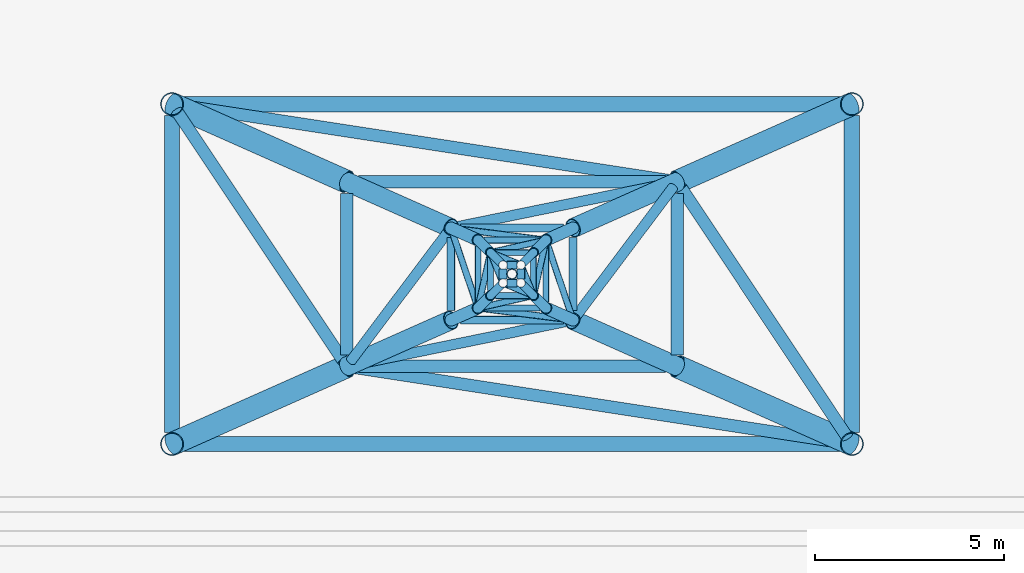
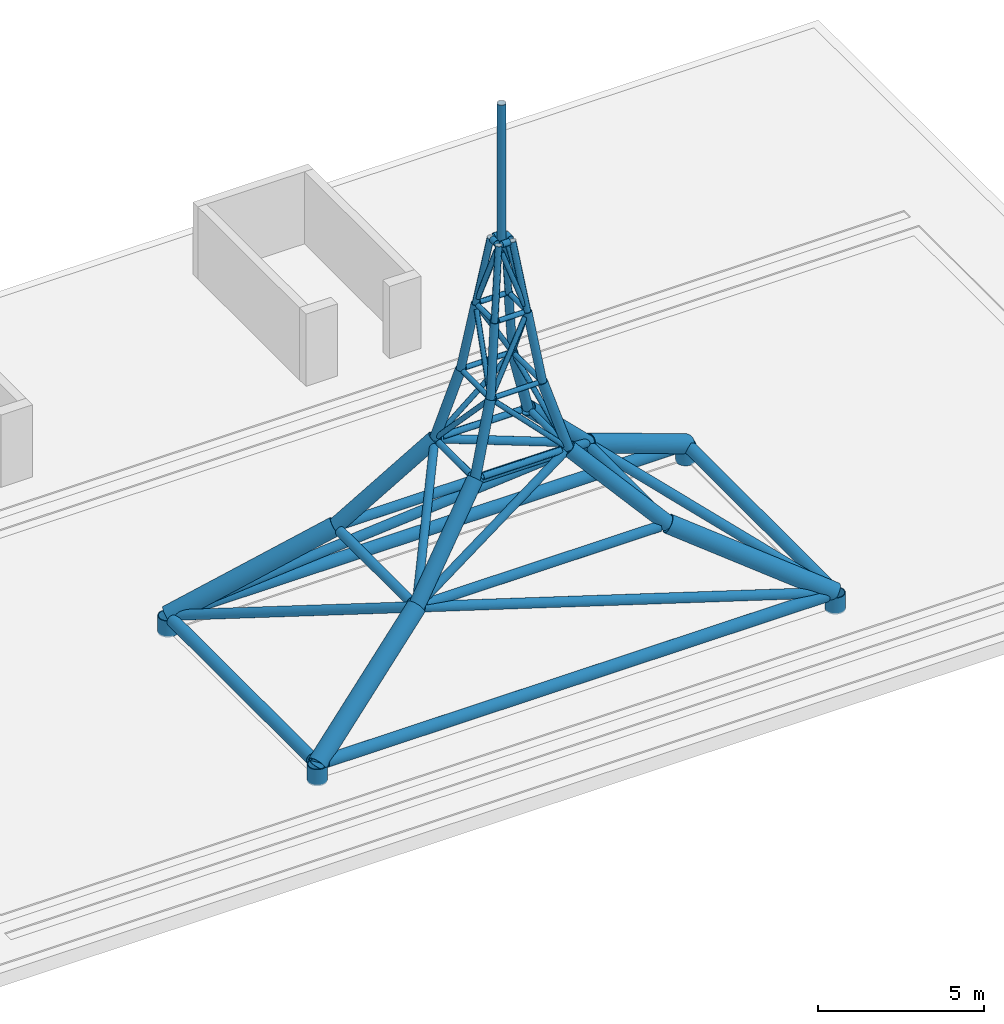
# One storey, part 1 of 4: 41 members, 24 beams, 4 columns.
"""IFC4 building model written with IfcOpenShell, lengths in metres."""

from ifc_helpers import new_model, si_unit, direction, frame, origin, origin_2d, place, context, subcontext, project, spatial, hollow_circle, extrude, material, material_profile, profile_set, type_object, element, save


model = new_model("IFC4")

# Units and contexts
model_context = context("Model", 3, precision=1e-05, world=origin(), true_north=direction((0.0, 1.0)))
body_context = subcontext(model_context, "Body", "Model", "MODEL_VIEW")
ifc_project = project(units=[si_unit("LENGTHUNIT", "METRE"), si_unit("AREAUNIT", "SQUARE_METRE"), si_unit("VOLUMEUNIT", "CUBIC_METRE"), si_unit("PLANEANGLEUNIT", "RADIAN"), si_unit("MASSUNIT", "GRAM", prefix="KILO")], contexts=[model_context])

# Site, building, storey
site_placement = place(None, origin())
site = spatial("IfcSite", under=ifc_project, at=site_placement, CompositionType="ELEMENT")
building_placement = place(site_placement, origin())
building = spatial("IfcBuilding", under=site, at=building_placement, Name="Calvaro Tower", CompositionType="ELEMENT")
storey_placement = place(building_placement, frame((0.0, 0.0, 277.949951171875)))
storey = spatial("IfcBuildingStorey", under=building, at=storey_placement, Name="ROOF", CompositionType="ELEMENT", Elevation=277.949951171875)

# Columns
ifc_material_1 = material(Name="Steel S355", Category="steel")
ifc_material_profile_1 = material_profile(ifc_material_1, hollow_circle(Radius=0.304931640625, WallThickness=0.02490234375, at=origin_2d()), Name="CHS 610x25")
ifc_profile_set_1 = profile_set([ifc_material_profile_1], Name="Steel S355")
column_type = type_object("IfcColumnType", Name="Mast foot CHS 610x25", PredefinedType="COLUMN", material=ifc_profile_set_1)
for number, where, z_axis, x_axis, name in (
    (1, (27.0, 10.0, 0.0), (0.0, 0.0, 1.0), (1.0, 0.0, 0.0), "MAST FOOT A"),
    (2, (45.0, 10.0, 0.0), (0.0, 0.0, 1.0), (1.0, 0.0, 0.0), "MAST FOOT B"),
    (3, (45.0, 19.0, 0.0), (0.0, 0.0, 1.0), (1.0, 0.0, 0.0), "MAST FOOT C"),
    (4, (27.0, 19.0, 0.0), (0.0, 0.0, 1.0), (1.0, 0.0, 0.0), "MAST FOOT D"),
):
    element("IfcColumn", number, at=place(storey_placement, frame(where, z_axis=z_axis, x_axis=x_axis)), inside=storey, type_object=column_type, Name=name, PredefinedType="COLUMN", context=body_context, shape_type="SweptSolid", body=[
        extrude(hollow_circle(Radius=0.304931640625, WallThickness=0.02490234375, at=origin_2d()), origin(), (0.0, 0.0, 1.0), 0.60009765625),
    ])

# Members
ifc_material_2 = material(Name="Steel S355", Category="steel")
ifc_material_profile_2 = material_profile(ifc_material_2, hollow_circle(Radius=0.084228515625, WallThickness=0.008056640625, at=origin_2d()), Name="CHS 168.3x8")
ifc_profile_set_2 = profile_set([ifc_material_profile_2], Name="Steel S355")
member_type_1 = type_object("IfcMemberType", Name="Mast brace CHS 168.3x8", PredefinedType="BRACE", material=ifc_profile_set_2)
member_1_placement = place(storey_placement, frame((37.473876953125, 13.29931640625, 6.642822265625), z_axis=(-0.706751417541, 0.089540739905, 0.701772676656), x_axis=(-0.125688687239, -0.992069732378, 0.0)))
element("IfcMember", 5, at=member_1_placement, inside=storey, type_object=member_type_1, Name="MAST BRACE 3A", PredefinedType="BRACE", context=body_context, shape_type="SweptSolid", body=[
    extrude(hollow_circle(Radius=0.084228515625, WallThickness=0.008056640625, at=origin_2d()), origin(), (0.0, 0.0, 1.0), 3.1875),
])
member_2_placement = place(storey_placement, frame((37.576416015625, 13.402099609375, 6.642822265625), z_axis=(-0.213828444957, 0.631643858325, 0.745186843931), x_axis=(-0.947197163913, -0.320651731126, 0.0)))
element("IfcMember", 6, at=member_2_placement, inside=storey, type_object=member_type_1, Name="MAST BRACE 3B", PredefinedType="BRACE", context=body_context, shape_type="SweptSolid", body=[
    extrude(hollow_circle(Radius=0.084228515625, WallThickness=0.008056640625, at=origin_2d()), origin(), (0.0, 0.0, 1.0), 3.001708984375),
])
member_3_placement = place(storey_placement, frame((34.526123046875, 15.70068359375, 6.642822265625), z_axis=(0.706751417541, -0.089540739905, 0.701772676656), x_axis=(0.125688687239, 0.992069732378, 0.0)))
element("IfcMember", 7, at=member_3_placement, inside=storey, type_object=member_type_1, Name="MAST BRACE 3C", PredefinedType="BRACE", context=body_context, shape_type="SweptSolid", body=[
    extrude(hollow_circle(Radius=0.084228515625, WallThickness=0.008056640625, at=origin_2d()), origin(), (0.0, 0.0, 1.0), 3.1875),
])
member_4_placement = place(storey_placement, frame((34.423583984375, 15.597900390625, 6.642822265625), z_axis=(0.213828444957, -0.631643858325, 0.745186843931), x_axis=(0.947197163913, 0.320651731126, 0.0)))
element("IfcMember", 8, at=member_4_placement, inside=storey, type_object=member_type_1, Name="MAST BRACE 3D", PredefinedType="BRACE", context=body_context, shape_type="SweptSolid", body=[
    extrude(hollow_circle(Radius=0.084228515625, WallThickness=0.008056640625, at=origin_2d()), origin(), (0.0, 0.0, 1.0), 3.001708984375),
])
for number, where, z_axis, x_axis, name in (
    (9, (35.21142578125, 13.625, 9.189697265625), (0.503624735883, 0.113068500726, 0.856491470798), (-0.219056577297, 0.975712158345, 0.0), "MAST BRACE 4A"),
    (10, (36.875, 15.28857421875, 9.189697265625), (-0.113068500726, -0.503624735883, 0.856491470798), (0.975712158345, -0.219056577297, 0.0), "MAST BRACE 4B"),
    (11, (36.78857421875, 15.375, 9.189697265625), (-0.503624735883, -0.113068500726, 0.856491470798), (0.219056577297, -0.975712158345, 0.0), "MAST BRACE 4C"),
    (12, (35.125, 13.71142578125, 9.189697265625), (0.113068500726, 0.503624735883, 0.856491470798), (-0.975712158345, 0.219056577297, 0.0), "MAST BRACE 4D"),
):
    element("IfcMember", number, at=place(storey_placement, frame(where, z_axis=z_axis, x_axis=x_axis)), inside=storey, type_object=member_type_1, Name=name, PredefinedType="BRACE", context=body_context, shape_type="SweptSolid", body=[
        extrude(hollow_circle(Radius=0.084228515625, WallThickness=0.008056640625, at=origin_2d()), origin(), (0.0, 0.0, 1.0), 2.519775390625),
    ])
for number, where, z_axis, x_axis, name in (
    (13, (36.4921875, 13.961669921875, 11.740234375), (-0.305810072952, 0.124606193904, 0.943903329649), (-0.377340792088, -0.926074471426, 0.0), "MAST BRACE 5A"),
    (14, (36.538330078125, 14.0078125, 11.740234375), (-0.124606193904, 0.305810072952, 0.943903329649), (-0.926074471426, -0.377340792088, 0.0), "MAST BRACE 5B"),
    (15, (35.5078125, 15.038330078125, 11.740234375), (0.305810072952, -0.124606193904, 0.943903329649), (0.377340792088, 0.926074471426, 0.0), "MAST BRACE 5C"),
    (16, (35.461669921875, 14.9921875, 11.740234375), (0.124606193904, -0.305810072952, 0.943903329649), (0.926074471426, 0.377340792088, 0.0), "MAST BRACE 5D"),
):
    element("IfcMember", number, at=place(storey_placement, frame(where, z_axis=z_axis, x_axis=x_axis)), inside=storey, type_object=member_type_1, Name=name, PredefinedType="BRACE", context=body_context, shape_type="SweptSolid", body=[
        extrude(hollow_circle(Radius=0.084228515625, WallThickness=0.008056640625, at=origin_2d()), origin(), (0.0, 0.0, 1.0), 2.1396484375),
    ])
ifc_material_3 = material(Name="Steel S355", Category="steel")
ifc_material_profile_3 = material_profile(ifc_material_3, hollow_circle(Radius=0.136474609375, WallThickness=0.012451171875, at=origin_2d()), Name="CHS 273x12.5")
ifc_profile_set_3 = profile_set([ifc_material_profile_3], Name="Steel S355")
member_type_2 = type_object("IfcMemberType", Name="Mast brace CHS 273x12.5", PredefinedType="BRACE", material=ifc_profile_set_3)
member_5_placement = place(storey_placement, frame((31.83837890625, 12.099609375, 3.605712890625), z_axis=(0.879541952014, 0.179826765016, 0.440531825446), x_axis=(-0.200311189331, 0.979732324377, 0.0)))
element("IfcMember", 17, at=member_5_placement, inside=storey, type_object=member_type_2, Name="MAST BRACE 2A", PredefinedType="BRACE", context=body_context, shape_type="SweptSolid", body=[
    extrude(hollow_circle(Radius=0.136474609375, WallThickness=0.012451171875, at=origin_2d()), origin(), (0.0, 0.0, 1.0), 6.41748046875),
])
member_6_placement = place(storey_placement, frame((40.263671875, 16.79833984375, 3.61865234375), z_axis=(-0.503006321251, -0.668578043823, 0.547711639551), x_axis=(0.799096779066, -0.601202409913, 0.0)))
element("IfcMember", 18, at=member_6_placement, inside=storey, type_object=member_type_2, Name="MAST BRACE 2B", PredefinedType="BRACE", context=body_context, shape_type="SweptSolid", body=[
    extrude(hollow_circle(Radius=0.136474609375, WallThickness=0.012451171875, at=origin_2d()), origin(), (0.0, 0.0, 1.0), 5.12255859375),
])
member_7_placement = place(storey_placement, frame((40.16162109375, 16.900390625, 3.605712890625), z_axis=(-0.879541952014, -0.179826765016, 0.440531825446), x_axis=(0.200311189331, -0.979732324377, 0.0)))
element("IfcMember", 19, at=member_7_placement, inside=storey, type_object=member_type_2, Name="MAST BRACE 2C", PredefinedType="BRACE", context=body_context, shape_type="SweptSolid", body=[
    extrude(hollow_circle(Radius=0.136474609375, WallThickness=0.012451171875, at=origin_2d()), origin(), (0.0, 0.0, 1.0), 6.41748046875),
])
member_8_placement = place(storey_placement, frame((31.736328125, 12.20166015625, 3.61865234375), z_axis=(0.503006321251, 0.668578043823, 0.547711639551), x_axis=(-0.799096779066, 0.601202409913, 0.0)))
element("IfcMember", 20, at=member_8_placement, inside=storey, type_object=member_type_2, Name="MAST BRACE 2D", PredefinedType="BRACE", context=body_context, shape_type="SweptSolid", body=[
    extrude(hollow_circle(Radius=0.136474609375, WallThickness=0.012451171875, at=origin_2d()), origin(), (0.0, 0.0, 1.0), 5.12255859375),
])
ifc_material_4 = material(Name="Steel S355", Category="steel")
ifc_material_profile_4 = material_profile(ifc_material_4, hollow_circle(Radius=0.161865234375, WallThickness=0.012451171875, at=origin_2d()), Name="CHS 323.9x12.5")
ifc_profile_set_4 = profile_set([ifc_material_profile_4], Name="Steel S355")
member_type_3 = type_object("IfcMemberType", Name="Mast brace CHS 323.9x12.5", PredefinedType="BRACE", material=ifc_profile_set_4)
member_9_placement = place(storey_placement, frame((44.735595703125, 10.040771484375, 0.657470703125), z_axis=(-0.966431273609, 0.148616955468, 0.209579564696), x_axis=(-0.15199246548, -0.988381652216, 0.0)))
element("IfcMember", 21, at=member_9_placement, inside=storey, type_object=member_type_3, Name="MAST BRACE 1A", PredefinedType="BRACE", context=body_context, shape_type="SweptSolid", body=[
    extrude(hollow_circle(Radius=0.161865234375, WallThickness=0.012451171875, at=origin_2d()), origin(), (0.0, 0.0, 1.0), 13.3359375),
])
member_10_placement = place(storey_placement, frame((44.8779296875, 10.18310546875, 0.676513671875), z_axis=(-0.523838768365, 0.786019520156, 0.3282777158), x_axis=(-0.832135423642, -0.554572481034, 0.0)))
element("IfcMember", 22, at=member_10_placement, inside=storey, type_object=member_type_3, Name="MAST BRACE 1B", PredefinedType="BRACE", context=body_context, shape_type="SweptSolid", body=[
    extrude(hollow_circle(Radius=0.161865234375, WallThickness=0.012451171875, at=origin_2d()), origin(), (0.0, 0.0, 1.0), 8.40673828125),
])
member_11_placement = place(storey_placement, frame((27.264404296875, 18.959228515625, 0.657470703125), z_axis=(0.966431273609, -0.148616955468, 0.209579564696), x_axis=(0.15199246548, 0.988381652216, 0.0)))
element("IfcMember", 23, at=member_11_placement, inside=storey, type_object=member_type_3, Name="MAST BRACE 1C", PredefinedType="BRACE", context=body_context, shape_type="SweptSolid", body=[
    extrude(hollow_circle(Radius=0.161865234375, WallThickness=0.012451171875, at=origin_2d()), origin(), (0.0, 0.0, 1.0), 13.3359375),
])
member_12_placement = place(storey_placement, frame((27.1220703125, 18.81689453125, 0.676513671875), z_axis=(0.523838768365, -0.786019520156, 0.3282777158), x_axis=(0.832135423642, 0.554572481034, 0.0)))
element("IfcMember", 24, at=member_12_placement, inside=storey, type_object=member_type_3, Name="MAST BRACE 1D", PredefinedType="BRACE", context=body_context, shape_type="SweptSolid", body=[
    extrude(hollow_circle(Radius=0.161865234375, WallThickness=0.012451171875, at=origin_2d()), origin(), (0.0, 0.0, 1.0), 8.40673828125),
])
ifc_material_5 = material(Name="Steel S355", Category="steel")
ifc_material_profile_5 = material_profile(ifc_material_5, hollow_circle(Radius=0.109619140625, WallThickness=0.010009765625, at=origin_2d()), Name="CHS 219.1x10")
ifc_profile_set_5 = profile_set([ifc_material_profile_5], Name="Steel S355")
member_type_4 = type_object("IfcMemberType", Name="Mast leg CHS 219.1x10", PredefinedType="CHORD", material=ifc_profile_set_5)
for number, where, z_axis, x_axis, name in (
    (25, (35.429931640625, 13.929931640625, 11.5), (0.129788134439, 0.129788134439, 0.983010722382), (-0.707106781187, 0.707106781187, 0.0), "MAST LEG 5A"),
    (26, (36.570068359375, 13.929931640625, 11.5), (-0.129788134439, 0.129788134439, 0.983010722382), (-0.707106781187, -0.707106781187, 0.0), "MAST LEG 5B"),
    (27, (36.570068359375, 15.070068359375, 11.5), (-0.129788134439, -0.129788134439, 0.983010722382), (0.707106781187, -0.707106781187, 0.0), "MAST LEG 5C"),
    (28, (35.429931640625, 15.070068359375, 11.5), (0.129788134439, -0.129788134439, 0.983010722382), (0.707106781187, 0.707106781187, 0.0), "MAST LEG 5D"),
):
    element("IfcMember", number, at=place(storey_placement, frame(where, z_axis=z_axis, x_axis=x_axis)), inside=storey, type_object=member_type_4, Name=name, PredefinedType="CHORD", context=body_context, shape_type="SweptSolid", body=[
        extrude(hollow_circle(Radius=0.109619140625, WallThickness=0.010009765625, at=origin_2d()), origin(), (0.0, 0.0, 1.0), 2.543212890625),
    ])
ifc_material_6 = material(Name="Steel S355", Category="steel")
ifc_material_profile_6 = material_profile(ifc_material_6, hollow_circle(Radius=0.136474609375, WallThickness=0.012451171875, at=origin_2d()), Name="CHS 273x12.5")
ifc_profile_set_6 = profile_set([ifc_material_profile_6], Name="Steel S355")
member_type_5 = type_object("IfcMemberType", Name="Mast leg CHS 273x12.5", PredefinedType="CHORD", material=ifc_profile_set_6)
for number, where, z_axis, x_axis, name in (
    (29, (35.10009765625, 13.60009765625, 9.0), (0.129695367968, 0.129695367968, 0.983035209469), (-0.707106781187, 0.707106781187, 0.0), "MAST LEG 4A"),
    (30, (36.89990234375, 13.60009765625, 9.0), (-0.129695367968, 0.129695367968, 0.983035209469), (-0.707106781187, -0.707106781187, 0.0), "MAST LEG 4B"),
    (31, (36.89990234375, 15.39990234375, 9.0), (-0.129695367968, -0.129695367968, 0.983035209469), (0.707106781187, -0.707106781187, 0.0), "MAST LEG 4C"),
    (32, (35.10009765625, 15.39990234375, 9.0), (0.129695367968, -0.129695367968, 0.983035209469), (0.707106781187, 0.707106781187, 0.0), "MAST LEG 4D"),
):
    element("IfcMember", number, at=place(storey_placement, frame(where, z_axis=z_axis, x_axis=x_axis)), inside=storey, type_object=member_type_5, Name=name, PredefinedType="CHORD", context=body_context, shape_type="SweptSolid", body=[
        extrude(hollow_circle(Radius=0.136474609375, WallThickness=0.012451171875, at=origin_2d()), origin(), (0.0, 0.0, 1.0), 2.543212890625),
    ])
ifc_material_7 = material(Name="Steel S355", Category="steel")
ifc_material_profile_7 = material_profile(ifc_material_7, hollow_circle(Radius=0.161865234375, WallThickness=0.012451171875, at=origin_2d()), Name="CHS 323.9x12.5")
ifc_profile_set_7 = profile_set([ifc_material_profile_7], Name="Steel S355")
member_type_6 = type_object("IfcMemberType", Name="Mast leg CHS 323.9x12.5", PredefinedType="CHORD", material=ifc_profile_set_7)
for number, where, z_axis, x_axis, name in (
    (33, (34.382568359375, 13.281005859375, 6.5), (0.27382091498, 0.121770648478, 0.95404088785), (-0.406340377938, 0.913721783289, 0.0), "MAST LEG 3A"),
    (34, (37.617431640625, 13.281005859375, 6.5), (-0.27382091498, 0.121770648478, 0.95404088785), (-0.406340377938, -0.913721783289, 0.0), "MAST LEG 3B"),
    (35, (37.617431640625, 15.718994140625, 6.5), (-0.27382091498, -0.121770648478, 0.95404088785), (0.406340377938, -0.913721783289, 0.0), "MAST LEG 3C"),
    (36, (34.382568359375, 15.718994140625, 6.5), (0.27382091498, -0.121770648478, 0.95404088785), (0.406340377938, 0.913721783289, 0.0), "MAST LEG 3D"),
):
    element("IfcMember", number, at=place(storey_placement, frame(where, z_axis=z_axis, x_axis=x_axis)), inside=storey, type_object=member_type_6, Name=name, PredefinedType="CHORD", context=body_context, shape_type="SweptSolid", body=[
        extrude(hollow_circle(Radius=0.161865234375, WallThickness=0.012451171875, at=origin_2d()), origin(), (0.0, 0.0, 1.0), 2.620361328125),
    ])
ifc_material_8 = material(Name="Steel S355", Category="steel")
ifc_material_profile_8 = material_profile(ifc_material_8, hollow_circle(Radius=0.25390625, WallThickness=0.02001953125, at=origin_2d()), Name="CHS 508x20")
ifc_profile_set_8 = profile_set([ifc_material_profile_8], Name="Steel S355")
member_type_7 = type_object("IfcMemberType", Name="Mast leg CHS 508x20", PredefinedType="CHORD", material=ifc_profile_set_8)
for number, where, z_axis, x_axis, name in (
    (37, (31.62744140625, 12.056640625, 3.5), (0.647775913943, 0.287868516475, 0.705349617238), (-0.406100898946, 0.913828244188, 0.0), "MAST LEG 2A"),
    (38, (40.37255859375, 12.056640625, 3.5), (-0.647775913943, 0.287868516475, 0.705349617238), (-0.406100898946, -0.913828244188, 0.0), "MAST LEG 2B"),
    (39, (40.37255859375, 16.943359375, 3.5), (-0.647775913943, -0.287868516475, 0.705349617238), (0.406100898946, -0.913828244188, 0.0), "MAST LEG 2C"),
    (40, (31.62744140625, 16.943359375, 3.5), (0.647775913943, -0.287868516475, 0.705349617238), (0.406100898946, 0.913828244188, 0.0), "MAST LEG 2D"),
):
    element("IfcMember", number, at=place(storey_placement, frame(where, z_axis=z_axis, x_axis=x_axis)), inside=storey, type_object=member_type_7, Name=name, PredefinedType="CHORD", context=body_context, shape_type="SweptSolid", body=[
        extrude(hollow_circle(Radius=0.25390625, WallThickness=0.02001953125, at=origin_2d()), origin(), (0.0, 0.0, 1.0), 4.253173828125),
    ])
ifc_material_9 = material(Name="Steel S355", Category="steel")
ifc_material_profile_9 = material_profile(ifc_material_9, hollow_circle(Radius=0.304931640625, WallThickness=0.02490234375, at=origin_2d()), Name="CHS 610x25")
ifc_profile_set_9 = profile_set([ifc_material_profile_9], Name="Steel S355")
member_type_8 = type_object("IfcMemberType", Name="Mast leg CHS 610x25", PredefinedType="CHORD", material=ifc_profile_set_9)
for number, where, z_axis, x_axis, name in (
    (41, (27.0, 10.0, 0.60009765625), (0.792988609118, 0.35243938183, 0.496946222386), (-0.406138466053, 0.91381154862, 0.0), "MAST LEG 1A"),
    (42, (45.0, 10.0, 0.60009765625), (-0.792988609118, 0.35243938183, 0.496946222386), (-0.406138466053, -0.91381154862, 0.0), "MAST LEG 1B"),
    (43, (45.0, 19.0, 0.60009765625), (-0.792988609118, -0.35243938183, 0.496946222386), (0.406138466053, -0.91381154862, 0.0), "MAST LEG 1C"),
    (44, (27.0, 19.0, 0.60009765625), (0.792988609118, -0.35243938183, 0.496946222386), (0.406138466053, 0.91381154862, 0.0), "MAST LEG 1D"),
):
    element("IfcMember", number, at=place(storey_placement, frame(where, z_axis=z_axis, x_axis=x_axis)), inside=storey, type_object=member_type_8, Name=name, PredefinedType="CHORD", context=body_context, shape_type="SweptSolid", body=[
        extrude(hollow_circle(Radius=0.304931640625, WallThickness=0.02490234375, at=origin_2d()), origin(), (0.0, 0.0, 1.0), 5.83544921875),
    ])

# Beams
ifc_material_10 = material(Name="Steel S355", Category="steel")
ifc_material_profile_10 = material_profile(ifc_material_10, hollow_circle(Radius=0.084228515625, WallThickness=0.008056640625, at=origin_2d()), Name="CHS 168.3x8")
ifc_profile_set_10 = profile_set([ifc_material_profile_10], Name="Steel S355")
beam_type_1 = type_object("IfcBeamType", Name="Mast ring CHS 168.3x8", PredefinedType="BEAM", material=ifc_profile_set_10)
for number, where, z_axis, x_axis, name in (
    (45, (35.261962890625, 13.60009765625, 9.0), (1.0, 0.0, 0.0), (0.0, 1.0, 0.0), "MAST RING 3A"),
    (46, (36.89990234375, 13.761962890625, 9.0), (0.0, 1.0, 0.0), (-1.0, 0.0, 0.0), "MAST RING 3B"),
    (47, (36.738037109375, 15.39990234375, 9.0), (-1.0, 0.0, 0.0), (0.0, -1.0, 0.0), "MAST RING 3C"),
    (48, (35.10009765625, 15.238037109375, 9.0), (0.0, -1.0, 0.0), (1.0, 0.0, 0.0), "MAST RING 3D"),
):
    element("IfcBeam", number, at=place(storey_placement, frame(where, z_axis=z_axis, x_axis=x_axis)), inside=storey, type_object=beam_type_1, Name=name, PredefinedType="BEAM", context=body_context, shape_type="SweptSolid", body=[
        extrude(hollow_circle(Radius=0.084228515625, WallThickness=0.008056640625, at=origin_2d()), origin(), (0.0, 0.0, 1.0), 1.47607421875),
    ])
for number, where, z_axis, x_axis, name in (
    (49, (35.56640625, 13.929931640625, 11.5), (1.0, 0.0, 0.0), (0.0, 1.0, 0.0), "MAST RING 4A"),
    (50, (36.570068359375, 14.06640625, 11.5), (0.0, 1.0, 0.0), (-1.0, 0.0, 0.0), "MAST RING 4B"),
    (51, (36.43359375, 15.070068359375, 11.5), (-1.0, 0.0, 0.0), (0.0, -1.0, 0.0), "MAST RING 4C"),
    (52, (35.429931640625, 14.93359375, 11.5), (0.0, -1.0, 0.0), (1.0, 0.0, 0.0), "MAST RING 4D"),
):
    element("IfcBeam", number, at=place(storey_placement, frame(where, z_axis=z_axis, x_axis=x_axis)), inside=storey, type_object=beam_type_1, Name=name, PredefinedType="BEAM", context=body_context, shape_type="SweptSolid", body=[
        extrude(hollow_circle(Radius=0.084228515625, WallThickness=0.008056640625, at=origin_2d()), origin(), (0.0, 0.0, 1.0), 0.8671875),
    ])
ifc_material_11 = material(Name="Steel S355", Category="steel")
ifc_material_profile_11 = material_profile(ifc_material_11, hollow_circle(Radius=0.109619140625, WallThickness=0.010009765625, at=origin_2d()), Name="CHS 219.1x10")
ifc_profile_set_11 = profile_set([ifc_material_profile_11], Name="Steel S355")
beam_type_2 = type_object("IfcBeamType", Name="Mast ring CHS 219.1x10", PredefinedType="BEAM", material=ifc_profile_set_11)
beam_1_placement = place(storey_placement, frame((34.636474609375, 13.281005859375, 6.5), z_axis=(1.0, 0.0, 0.0), x_axis=(0.0, 1.0, 0.0)))
element("IfcBeam", 53, at=beam_1_placement, inside=storey, type_object=beam_type_2, Name="MAST RING 2A", PredefinedType="BEAM", context=body_context, shape_type="SweptSolid", body=[
    extrude(hollow_circle(Radius=0.109619140625, WallThickness=0.010009765625, at=origin_2d()), origin(), (0.0, 0.0, 1.0), 2.72705078125),
])
beam_2_placement = place(storey_placement, frame((37.617431640625, 13.53515625, 6.5), z_axis=(0.0, 1.0, 0.0), x_axis=(-1.0, 0.0, 0.0)))
element("IfcBeam", 54, at=beam_2_placement, inside=storey, type_object=beam_type_2, Name="MAST RING 2B", PredefinedType="BEAM", context=body_context, shape_type="SweptSolid", body=[
    extrude(hollow_circle(Radius=0.109619140625, WallThickness=0.010009765625, at=origin_2d()), origin(), (0.0, 0.0, 1.0), 1.9296875),
])
beam_3_placement = place(storey_placement, frame((37.363525390625, 15.718994140625, 6.5), z_axis=(-1.0, 0.0, 0.0), x_axis=(0.0, -1.0, 0.0)))
element("IfcBeam", 55, at=beam_3_placement, inside=storey, type_object=beam_type_2, Name="MAST RING 2C", PredefinedType="BEAM", context=body_context, shape_type="SweptSolid", body=[
    extrude(hollow_circle(Radius=0.109619140625, WallThickness=0.010009765625, at=origin_2d()), origin(), (0.0, 0.0, 1.0), 2.72705078125),
])
beam_4_placement = place(storey_placement, frame((34.382568359375, 15.46484375, 6.5), z_axis=(0.0, -1.0, 0.0), x_axis=(1.0, 0.0, 0.0)))
element("IfcBeam", 56, at=beam_4_placement, inside=storey, type_object=beam_type_2, Name="MAST RING 2D", PredefinedType="BEAM", context=body_context, shape_type="SweptSolid", body=[
    extrude(hollow_circle(Radius=0.109619140625, WallThickness=0.010009765625, at=origin_2d()), origin(), (0.0, 0.0, 1.0), 1.9296875),
])
beam_5_placement = place(storey_placement, frame((35.869384765625, 14.260009765625, 14.0), z_axis=(1.0, 0.0, 0.0), x_axis=(0.0, 1.0, 0.0)))
element("IfcBeam", 57, at=beam_5_placement, inside=storey, type_object=beam_type_2, Name="MAST RING 5A", PredefinedType="BEAM", context=body_context, shape_type="SweptSolid", body=[
    extrude(hollow_circle(Radius=0.109619140625, WallThickness=0.010009765625, at=origin_2d()), origin(), (0.0, 0.0, 1.0), 0.26123046875),
])
beam_6_placement = place(storey_placement, frame((36.239990234375, 14.36962890625, 14.0), z_axis=(0.0, 1.0, 0.0), x_axis=(-1.0, 0.0, 0.0)))
element("IfcBeam", 58, at=beam_6_placement, inside=storey, type_object=beam_type_2, Name="MAST RING 5B", PredefinedType="BEAM", context=body_context, shape_type="SweptSolid", body=[
    extrude(hollow_circle(Radius=0.109619140625, WallThickness=0.010009765625, at=origin_2d()), origin(), (0.0, 0.0, 1.0), 0.2607421875),
])
beam_7_placement = place(storey_placement, frame((36.130615234375, 14.739990234375, 14.0), z_axis=(-1.0, 0.0, 0.0), x_axis=(0.0, -1.0, 0.0)))
element("IfcBeam", 59, at=beam_7_placement, inside=storey, type_object=beam_type_2, Name="MAST RING 5C", PredefinedType="BEAM", context=body_context, shape_type="SweptSolid", body=[
    extrude(hollow_circle(Radius=0.109619140625, WallThickness=0.010009765625, at=origin_2d()), origin(), (0.0, 0.0, 1.0), 0.26123046875),
])
beam_8_placement = place(storey_placement, frame((35.760009765625, 14.63037109375, 14.0), z_axis=(0.0, -1.0, 0.0), x_axis=(1.0, 0.0, 0.0)))
element("IfcBeam", 60, at=beam_8_placement, inside=storey, type_object=beam_type_2, Name="MAST RING 5D", PredefinedType="BEAM", context=body_context, shape_type="SweptSolid", body=[
    extrude(hollow_circle(Radius=0.109619140625, WallThickness=0.010009765625, at=origin_2d()), origin(), (0.0, 0.0, 1.0), 0.2607421875),
])
ifc_material_12 = material(Name="Steel S355", Category="steel")
ifc_material_profile_12 = material_profile(ifc_material_12, hollow_circle(Radius=0.161865234375, WallThickness=0.012451171875, at=origin_2d()), Name="CHS 323.9x12.5")
ifc_profile_set_12 = profile_set([ifc_material_profile_12], Name="Steel S355")
beam_type_3 = type_object("IfcBeamType", Name="Mast ring CHS 323.9x12.5", PredefinedType="BEAM", material=ifc_profile_set_12)
beam_9_placement = place(storey_placement, frame((31.932373046875, 12.056640625, 3.5), z_axis=(1.0, 0.0, 0.0), x_axis=(0.0, 1.0, 0.0)))
element("IfcBeam", 61, at=beam_9_placement, inside=storey, type_object=beam_type_3, Name="MAST RING 1A", PredefinedType="BEAM", context=body_context, shape_type="SweptSolid", body=[
    extrude(hollow_circle(Radius=0.161865234375, WallThickness=0.012451171875, at=origin_2d()), origin(), (0.0, 0.0, 1.0), 8.13525390625),
])
beam_10_placement = place(storey_placement, frame((40.37255859375, 12.361572265625, 3.5), z_axis=(0.0, 1.0, 0.0), x_axis=(-1.0, 0.0, 0.0)))
element("IfcBeam", 62, at=beam_10_placement, inside=storey, type_object=beam_type_3, Name="MAST RING 1B", PredefinedType="BEAM", context=body_context, shape_type="SweptSolid", body=[
    extrude(hollow_circle(Radius=0.161865234375, WallThickness=0.012451171875, at=origin_2d()), origin(), (0.0, 0.0, 1.0), 4.27685546875),
])
beam_11_placement = place(storey_placement, frame((40.067626953125, 16.943359375, 3.5), z_axis=(-1.0, 0.0, 0.0), x_axis=(0.0, -1.0, 0.0)))
element("IfcBeam", 63, at=beam_11_placement, inside=storey, type_object=beam_type_3, Name="MAST RING 1C", PredefinedType="BEAM", context=body_context, shape_type="SweptSolid", body=[
    extrude(hollow_circle(Radius=0.161865234375, WallThickness=0.012451171875, at=origin_2d()), origin(), (0.0, 0.0, 1.0), 8.13525390625),
])
beam_12_placement = place(storey_placement, frame((31.62744140625, 16.638427734375, 3.5), z_axis=(0.0, -1.0, 0.0), x_axis=(1.0, 0.0, 0.0)))
element("IfcBeam", 64, at=beam_12_placement, inside=storey, type_object=beam_type_3, Name="MAST RING 1D", PredefinedType="BEAM", context=body_context, shape_type="SweptSolid", body=[
    extrude(hollow_circle(Radius=0.161865234375, WallThickness=0.012451171875, at=origin_2d()), origin(), (0.0, 0.0, 1.0), 4.27685546875),
])
ifc_material_13 = material(Name="Steel S355", Category="steel")
ifc_material_profile_13 = material_profile(ifc_material_13, hollow_circle(Radius=0.203125, WallThickness=0.01611328125, at=origin_2d()), Name="CHS 406.4x16")
ifc_profile_set_13 = profile_set([ifc_material_profile_13], Name="Steel S355")
beam_type_4 = type_object("IfcBeamType", Name="Mast ring CHS 406.4x16", PredefinedType="BEAM", material=ifc_profile_set_13)
beam_13_placement = place(storey_placement, frame((27.304931640625, 10.0, 0.60009765625), z_axis=(1.0, 0.0, 0.0), x_axis=(0.0, 1.0, 0.0)))
element("IfcBeam", 65, at=beam_13_placement, inside=storey, type_object=beam_type_4, Name="MAST RING 0A", PredefinedType="BEAM", context=body_context, shape_type="SweptSolid", body=[
    extrude(hollow_circle(Radius=0.203125, WallThickness=0.01611328125, at=origin_2d()), origin(), (0.0, 0.0, 1.0), 17.39013671875),
])
beam_14_placement = place(storey_placement, frame((45.0, 10.304931640625, 0.60009765625), z_axis=(0.0, 1.0, 0.0), x_axis=(-1.0, 0.0, 0.0)))
element("IfcBeam", 66, at=beam_14_placement, inside=storey, type_object=beam_type_4, Name="MAST RING 0B", PredefinedType="BEAM", context=body_context, shape_type="SweptSolid", body=[
    extrude(hollow_circle(Radius=0.203125, WallThickness=0.01611328125, at=origin_2d()), origin(), (0.0, 0.0, 1.0), 8.39013671875),
])
beam_15_placement = place(storey_placement, frame((44.695068359375, 19.0, 0.60009765625), z_axis=(-1.0, 0.0, 0.0), x_axis=(0.0, -1.0, 0.0)))
element("IfcBeam", 67, at=beam_15_placement, inside=storey, type_object=beam_type_4, Name="MAST RING 0C", PredefinedType="BEAM", context=body_context, shape_type="SweptSolid", body=[
    extrude(hollow_circle(Radius=0.203125, WallThickness=0.01611328125, at=origin_2d()), origin(), (0.0, 0.0, 1.0), 17.39013671875),
])
beam_16_placement = place(storey_placement, frame((27.0, 18.695068359375, 0.60009765625), z_axis=(0.0, -1.0, 0.0), x_axis=(1.0, 0.0, 0.0)))
element("IfcBeam", 68, at=beam_16_placement, inside=storey, type_object=beam_type_4, Name="MAST RING 0D", PredefinedType="BEAM", context=body_context, shape_type="SweptSolid", body=[
    extrude(hollow_circle(Radius=0.203125, WallThickness=0.01611328125, at=origin_2d()), origin(), (0.0, 0.0, 1.0), 8.39013671875),
])

# Member
ifc_material_14 = material(Name="Steel S355", Category="steel")
ifc_material_profile_14 = material_profile(ifc_material_14, hollow_circle(Radius=0.136474609375, WallThickness=0.012451171875, at=origin_2d()), Name="CHS 273x12.5")
ifc_profile_set_14 = profile_set([ifc_material_profile_14], Name="Steel S355")
member_type_9 = type_object("IfcMemberType", Name="Mast whip CHS 273x12.5", PredefinedType="BRACE", material=ifc_profile_set_14)
member_13_placement = place(storey_placement, frame((36.0, 14.5, 14.0), z_axis=(0.0, 0.0, 1.0), x_axis=(1.0, 0.0, 0.0)))
element("IfcMember", 69, at=member_13_placement, inside=storey, type_object=member_type_9, Name="MAST WHIP", PredefinedType="BRACE", context=body_context, shape_type="SweptSolid", body=[
    extrude(hollow_circle(Radius=0.136474609375, WallThickness=0.012451171875, at=origin_2d()), origin(), (0.0, 0.0, 1.0), 5.0),
])

save(model, "model.ifc")
